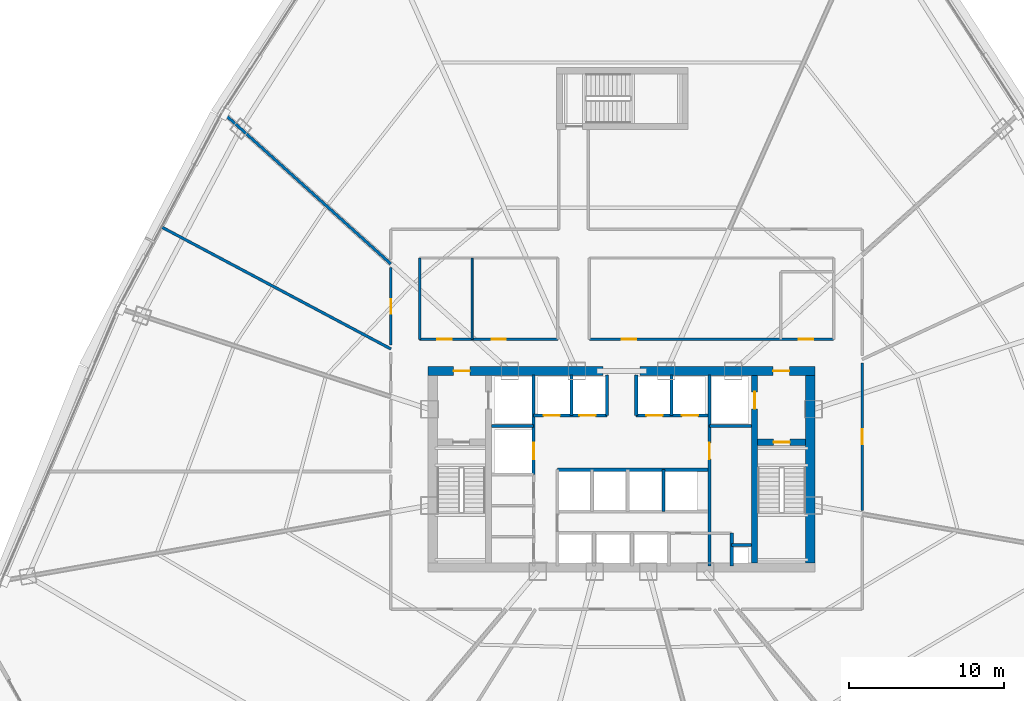
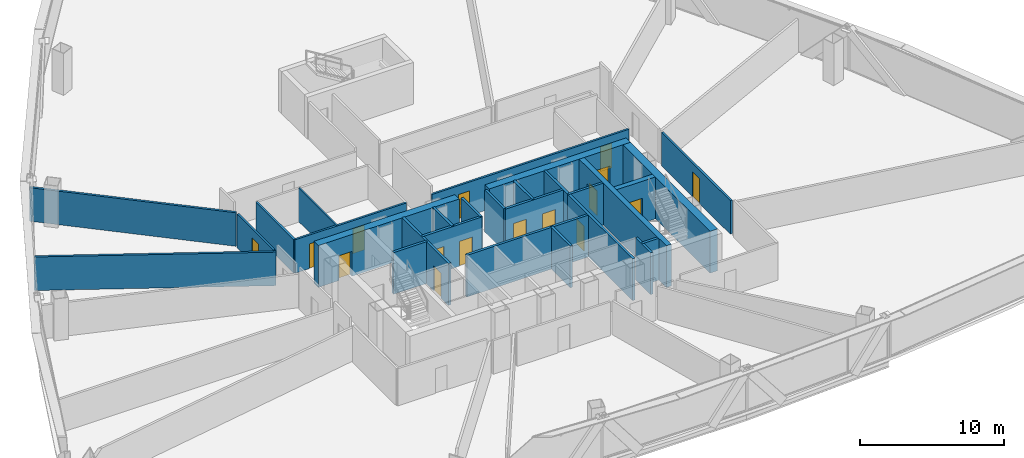
# One storey, part 30 of 36: 28 walls, 16 doors, 16 openings.
"""IFC4 building model written with IfcOpenShell, lengths in metres."""

from ifc_helpers import new_model, si_unit, direction, frame, frame_2d, origin, origin_with_axes, place, context, subcontext, project, spatial, rectangle, extrude, source, transform, mapped, material, layer, layer_set, type_object, element, fill, save


model = new_model("IFC4")

# Units and contexts
model_context = context("Model", 3, precision=1e-05, world=origin(), true_north=direction((0.0, 1.0)))
body_context = subcontext(model_context, "Body", "Model", "MODEL_VIEW")
ifc_project = project(units=[si_unit("LENGTHUNIT", "METRE"), si_unit("AREAUNIT", "SQUARE_METRE"), si_unit("VOLUMEUNIT", "CUBIC_METRE"), si_unit("PLANEANGLEUNIT", "RADIAN"), si_unit("MASSUNIT", "GRAM", prefix="KILO"), si_unit("THERMODYNAMICTEMPERATUREUNIT", "KELVIN"), si_unit("POWERUNIT", "WATT")], contexts=[model_context])

# Site, building, storey
site_placement = place(None, origin())
site = spatial("IfcSite", under=ifc_project, at=site_placement, CompositionType="ELEMENT")
building_placement = place(site_placement, origin())
building = spatial("IfcBuilding", under=site, at=building_placement, Name="Yunzhuo Pagoda Commons", CompositionType="ELEMENT")
storey_placement = place(building_placement, frame((0.0, 0.0, 107.780029296875)))
storey = spatial("IfcBuildingStorey", under=building, at=storey_placement, Name="L27", CompositionType="ELEMENT", Elevation=107.780029296875)

# Wall, opening, door
ifc_material_1 = material(Name="Concrete C60", Category="concrete")
ifc_layer_1 = layer(ifc_material_1, 0.60009765625)
ifc_layer_set_1 = layer_set([ifc_layer_1], Name="Concrete C60")
wall_type_1 = type_object("IfcWallType", Name="W-C02 Mid Core Shear Wall 600", PredefinedType="SHEAR", material=ifc_layer_set_1)
wall_1_placement = place(storey_placement, frame((35.5, 40.199951171875, 0.0), z_axis=(0.0, 0.0, 1.0), x_axis=(1.0, 0.0, 0.0)))
wall_1 = element("IfcWall", 1, at=wall_1_placement, inside=storey, type_object=wall_type_1, Name="L27 core shear wall NW", PredefinedType="SHEAR", context=body_context, shape_type="SweptSolid", body=[
    extrude(rectangle(XDim=11.300048828125, YDim=0.60009765625, at=frame_2d((5.64990234375, 0.0))), origin(), (0.0, 0.0, 1.0), 3.5400390625),
])
opening_1_placement = place(wall_1_placement, frame((1.64990234375, 0.0, 0.0)))
opening_1 = element("IfcOpeningElement", 2, at=opening_1_placement, cuts=wall_1, Name="Opening D-02", PredefinedType="OPENING", context=body_context, shape_type="SweptSolid", body=[
    extrude(rectangle(XDim=1.050048828125, YDim=2.10009765625, at=frame_2d((0.52490234375, 1.050048828125))), frame((0.0, 0.31005859375, 0.0), z_axis=(0.0, -1.0, 0.0), x_axis=(1.0, 0.0, 0.0)), (0.0, 0.0, 1.0), 0.6201171875),
])
ifc_material_2 = material(Name="Galvanized fire-resisting metal leaf")
door_type_1 = type_object("IfcDoorType", Name="D-02 Firefighting Lobby & Refuge Fire Door 1050x2100", OperationType="NOTDEFINED", PredefinedType="DOOR", material=ifc_material_2)
shared_shape_1 = source(origin(), body_context, "Body", "SweptSolid", [
    extrude(rectangle(XDim=1.050048828125, YDim=2.10009765625, at=frame_2d((0.52490234375, 1.050048828125))), frame((0.0, 0.02490234375, 0.0), z_axis=(0.0, -1.0, 0.0), x_axis=(1.0, 0.0, 0.0)), (0.0, 0.0, 1.0), 0.050048828125),
])
door_1_placement = place(opening_1_placement, frame((1.050048828125, 0.0, 0.0), z_axis=(0.0, 0.0, 1.0), x_axis=(-1.0, 0.0, 0.0)))
door_1 = element("IfcDoor", 3, at=door_1_placement, inside=storey, type_object=door_type_1, Name="L27 Firefighting Lobby 1 fire door", OperationType="SINGLE_SWING_LEFT", OverallHeight=2.10009765625, OverallWidth=1.050048828125, PredefinedType="DOOR", context=body_context, shape_type="MappedRepresentation", body=[
    mapped(shared_shape_1, transform((0.0, 0.0, 0.0), scale=1.0)),
])
fill(opening_1, door_1)

wall_2_placement = place(storey_placement, frame((49.199951171875, 40.199951171875, 0.0), z_axis=(0.0, 0.0, 1.0), x_axis=(1.0, 0.0, 0.0)))
wall_2 = element("IfcWall", 4, at=wall_2_placement, inside=storey, type_object=wall_type_1, Name="L27 core shear wall NE", PredefinedType="SHEAR", context=body_context, shape_type="SweptSolid", body=[
    extrude(rectangle(XDim=11.300048828125, YDim=0.60009765625, at=frame_2d((5.64990234375, 0.0))), origin(), (0.0, 0.0, 1.0), 3.5400390625),
])
opening_2_placement = place(wall_2_placement, frame((8.60009765625, 0.0, 0.0)))
opening_2 = element("IfcOpeningElement", 5, at=opening_2_placement, cuts=wall_2, Name="Opening D-02", PredefinedType="OPENING", context=body_context, shape_type="SweptSolid", body=[
    extrude(rectangle(XDim=1.050048828125, YDim=2.10009765625, at=frame_2d((0.52490234375, 1.050048828125))), frame((0.0, 0.31005859375, 0.0), z_axis=(0.0, -1.0, 0.0), x_axis=(1.0, 0.0, 0.0)), (0.0, 0.0, 1.0), 0.6201171875),
])
door_2_placement = place(opening_2_placement, frame((1.050048828125, 0.0, 0.0), z_axis=(0.0, 0.0, 1.0), x_axis=(-1.0, 0.0, 0.0)))
door_2 = element("IfcDoor", 6, at=door_2_placement, inside=storey, type_object=door_type_1, Name="L27 Firefighting Lobby 2 fire door", OperationType="SINGLE_SWING_RIGHT", OverallHeight=2.10009765625, OverallWidth=1.050048828125, PredefinedType="DOOR", context=body_context, shape_type="MappedRepresentation", body=[
    mapped(shared_shape_1, transform((0.0, 0.0, 0.0), scale=1.0)),
])
fill(opening_2, door_2)

# Wall
wall_3_placement = place(storey_placement, frame((60.199951171875, 27.800048828125, 0.0), z_axis=(0.0, 0.0, 1.0), x_axis=(0.0, 1.0, 0.0)))
element("IfcWall", 7, at=wall_3_placement, inside=storey, type_object=wall_type_1, Name="L27 core shear wall E", PredefinedType="SHEAR", context=body_context, shape_type="SweptSolid", body=[
    extrude(rectangle(XDim=12.099853515625, YDim=0.60009765625, at=frame_2d((6.0498046875, 0.0))), origin(), (0.0, 0.0, 1.0), 3.5400390625),
])

# Wall, openings, doors
ifc_material_3 = material(Name="Gypsum plasterboard on acoustic stud")
ifc_layer_2 = layer(ifc_material_3, 0.159912109375)
ifc_layer_set_2 = layer_set([ifc_layer_2], Name="Gypsum plasterboard on acoustic stud")
wall_type_2 = type_object("IfcWallType", Name="W-COR1 Tower Rated Corridor Wall 160", PredefinedType="PARTITIONING", material=ifc_layer_set_2)
wall_4_placement = place(storey_placement, frame((34.949951171875, 42.25, 0.0), z_axis=(0.0, 0.0, 1.0), x_axis=(1.0, 0.0, 0.0)))
wall_4 = element("IfcWall", 8, at=wall_4_placement, inside=storey, type_object=wall_type_2, Name="L27 interior wall IW-L27-ISLWS", PredefinedType="PARTITIONING", context=body_context, shape_type="SweptSolid", body=[
    extrude(rectangle(XDim=8.929931640625, YDim=0.159912109375, at=frame_2d((4.46484375, 0.0))), origin(), (0.0, 0.0, 1.0), 2.840087890625),
])
opening_3_placement = place(wall_4_placement, frame((1.14990234375, 0.0, 0.0)))
opening_3 = element("IfcOpeningElement", 9, at=opening_3_placement, cuts=wall_4, Name="Opening D-04", PredefinedType="OPENING", context=body_context, shape_type="SweptSolid", body=[
    extrude(rectangle(XDim=0.919921875, YDim=2.10009765625, at=frame_2d((0.4599609375, 1.050048828125))), frame((0.0, 0.08984375, 0.0), z_axis=(0.0, -1.0, 0.0), x_axis=(1.0, 0.0, 0.0)), (0.0, 0.0, 1.0), 0.179931640625),
])
opening_4_placement = place(wall_4_placement, frame((4.64990234375, 0.0, 0.0)))
opening_4 = element("IfcOpeningElement", 10, at=opening_4_placement, cuts=wall_4, Name="Opening D-04", PredefinedType="OPENING", context=body_context, shape_type="SweptSolid", body=[
    extrude(rectangle(XDim=0.919921875, YDim=2.10009765625, at=frame_2d((0.4599609375, 1.050048828125))), frame((0.0, 0.08984375, 0.0), z_axis=(0.0, -1.0, 0.0), x_axis=(1.0, 0.0, 0.0)), (0.0, 0.0, 1.0), 0.179931640625),
])
ifc_material_4 = material(Name="Powder-coated aluminium and timber acoustic leaf", Category="wood")
door_type_2 = type_object("IfcDoorType", Name="D-04 Bedroom & Study Interior Door 920x2100", OperationType="NOTDEFINED", PredefinedType="DOOR", material=ifc_material_4)
shared_shape_2 = source(origin(), body_context, "Body", "SweptSolid", [
    extrude(rectangle(XDim=0.919921875, YDim=2.10009765625, at=frame_2d((0.4599609375, 1.050048828125))), frame((0.0, 0.02490234375, 0.0), z_axis=(0.0, -1.0, 0.0), x_axis=(1.0, 0.0, 0.0)), (0.0, 0.0, 1.0), 0.050048828125),
])
door_3_placement = place(opening_3_placement, frame((0.919921875, 0.0, 0.0), z_axis=(0.0, 0.0, 1.0), x_axis=(-1.0, 0.0, 0.0)))
door_3 = element("IfcDoor", 11, at=door_3_placement, inside=storey, type_object=door_type_2, Name="L27 laundry door", OperationType="SINGLE_SWING_LEFT", OverallHeight=2.10009765625, OverallWidth=0.919921875, PredefinedType="DOOR", context=body_context, shape_type="MappedRepresentation", body=[
    mapped(shared_shape_2, transform((0.0, 0.0, 0.0), scale=1.0)),
])
fill(opening_3, door_3)
door_4_placement = place(opening_4_placement, frame((0.919921875, 0.0, 0.0), z_axis=(0.0, 0.0, 1.0), x_axis=(-1.0, 0.0, 0.0)))
door_4 = element("IfcDoor", 12, at=door_4_placement, inside=storey, type_object=door_type_2, Name="L27 study commons W door", OperationType="SINGLE_SWING_RIGHT", OverallHeight=2.10009765625, OverallWidth=0.919921875, PredefinedType="DOOR", context=body_context, shape_type="MappedRepresentation", body=[
    mapped(shared_shape_2, transform((0.0, 0.0, 0.0), scale=1.0)),
])
fill(opening_4, door_4)

# Wall
wall_5_placement = place(storey_placement, frame((34.949951171875, 42.25, 0.0), z_axis=(0.0, 0.0, 1.0), x_axis=(0.0, 1.0, 0.0)))
element("IfcWall", 13, at=wall_5_placement, inside=storey, type_object=wall_type_2, Name="L27 interior wall IW-L27-ISLWW", PredefinedType="PARTITIONING", context=body_context, shape_type="SweptSolid", body=[
    extrude(rectangle(XDim=5.25, YDim=0.159912109375, at=frame_2d((2.625, 0.0))), origin(), (0.0, 0.0, 1.0), 2.840087890625),
])

# Wall, openings, doors
wall_6_placement = place(storey_placement, frame((45.919921875, 42.25, 0.0), z_axis=(0.0, 0.0, 1.0), x_axis=(1.0, 0.0, 0.0)))
wall_6 = element("IfcWall", 14, at=wall_6_placement, inside=storey, type_object=wall_type_2, Name="L27 interior wall IW-L27-ISLES", PredefinedType="PARTITIONING", context=body_context, shape_type="SweptSolid", body=[
    extrude(rectangle(XDim=15.780029296875, YDim=0.159912109375, at=frame_2d((7.89013671875, 0.0))), origin(), (0.0, 0.0, 1.0), 2.840087890625),
])
opening_5_placement = place(wall_6_placement, frame((2.10009765625, 0.0, 0.0)))
opening_5 = element("IfcOpeningElement", 15, at=opening_5_placement, cuts=wall_6, Name="Opening D-04", PredefinedType="OPENING", context=body_context, shape_type="SweptSolid", body=[
    extrude(rectangle(XDim=0.919921875, YDim=2.10009765625, at=frame_2d((0.4599609375, 1.050048828125))), frame((0.0, 0.08984375, 0.0), z_axis=(0.0, -1.0, 0.0), x_axis=(1.0, 0.0, 0.0)), (0.0, 0.0, 1.0), 0.179931640625),
])
opening_6_placement = place(wall_6_placement, frame((13.530029296875, 0.0, 0.0)))
opening_6 = element("IfcOpeningElement", 16, at=opening_6_placement, cuts=wall_6, Name="Opening D-11", PredefinedType="OPENING", context=body_context, shape_type="SweptSolid", body=[
    extrude(rectangle(XDim=0.93994140625, YDim=2.10009765625, at=frame_2d((0.469970703125, 1.050048828125))), frame((0.0, 0.08984375, 0.0), z_axis=(0.0, -1.0, 0.0), x_axis=(1.0, 0.0, 0.0)), (0.0, 0.0, 1.0), 0.179931640625),
])
door_type_3 = type_object("IfcDoorType", Name="D-11 Accessible Washroom Fire Door 940x2100", OperationType="NOTDEFINED", PredefinedType="DOOR", material=ifc_material_2)
shared_shape_3 = source(origin(), body_context, "Body", "SweptSolid", [
    extrude(rectangle(XDim=0.93994140625, YDim=2.10009765625, at=frame_2d((0.469970703125, 1.050048828125))), frame((0.0, 0.02490234375, 0.0), z_axis=(0.0, -1.0, 0.0), x_axis=(1.0, 0.0, 0.0)), (0.0, 0.0, 1.0), 0.050048828125),
])
door_5_placement = place(opening_6_placement, frame((0.93994140625, 0.0, 0.0), z_axis=(0.0, 0.0, 1.0), x_axis=(-1.0, 0.0, 0.0)))
door_5 = element("IfcDoor", 17, at=door_5_placement, inside=storey, type_object=door_type_3, Name="L27 accessible WC door", OperationType="SINGLE_SWING_RIGHT", OverallHeight=2.10009765625, OverallWidth=0.93994140625, PredefinedType="DOOR", context=body_context, shape_type="MappedRepresentation", body=[
    mapped(shared_shape_3, transform((0.0, 0.0, 0.0), scale=1.0)),
])
fill(opening_6, door_5)
door_6_placement = place(opening_5_placement, frame((0.919921875, 0.0, 0.0), z_axis=(0.0, 0.0, 1.0), x_axis=(-1.0, 0.0, 0.0)))
door_6 = element("IfcDoor", 18, at=door_6_placement, inside=storey, type_object=door_type_2, Name="L27 reading commons door", OperationType="SINGLE_SWING_LEFT", OverallHeight=2.10009765625, OverallWidth=0.919921875, PredefinedType="DOOR", context=body_context, shape_type="MappedRepresentation", body=[
    mapped(shared_shape_2, transform((0.0, 0.0, 0.0), scale=1.0)),
])
fill(opening_5, door_6)

# Wall, opening, door
wall_7_placement = place(storey_placement, frame((33.10009765625, 41.87158203125, 0.0), z_axis=(0.0, 0.0, 1.0), x_axis=(0.0, 1.0, 0.0)))
wall_7 = element("IfcWall", 19, at=wall_7_placement, inside=storey, type_object=wall_type_2, Name="L27 interior wall IW-L27-CWL05", PredefinedType="PARTITIONING", context=body_context, shape_type="SweptSolid", body=[
    extrude(rectangle(XDim=5.024658203125, YDim=0.159912109375, at=frame_2d((2.51220703125, 0.0))), origin(), (0.0, 0.0, 1.0), 2.840087890625),
])
opening_7_placement = place(wall_7_placement, frame((2.022705078125, 0.0, 0.0)))
opening_7 = element("IfcOpeningElement", 20, at=opening_7_placement, cuts=wall_7, Name="Opening D-06", PredefinedType="OPENING", context=body_context, shape_type="SweptSolid", body=[
    extrude(rectangle(XDim=0.949951171875, YDim=2.10009765625, at=frame_2d((0.47509765625, 1.050048828125))), frame((0.0, 0.08984375, 0.0), z_axis=(0.0, -1.0, 0.0), x_axis=(1.0, 0.0, 0.0)), (0.0, 0.0, 1.0), 0.179931640625),
])
door_type_4 = type_object("IfcDoorType", Name="D-06 Co-Living Suite Entrance Fire Door 950x2100", OperationType="NOTDEFINED", PredefinedType="DOOR", material=ifc_material_2)
shared_shape_4 = source(origin(), body_context, "Body", "SweptSolid", [
    extrude(rectangle(XDim=0.949951171875, YDim=2.10009765625, at=frame_2d((0.47509765625, 1.050048828125))), frame((0.0, 0.02490234375, 0.0), z_axis=(0.0, -1.0, 0.0), x_axis=(1.0, 0.0, 0.0)), (0.0, 0.0, 1.0), 0.050048828125),
])
door_7_placement = place(opening_7_placement, origin_with_axes())
door_7 = element("IfcDoor", 21, at=door_7_placement, inside=storey, type_object=door_type_4, Name="L27 unit 05 entrance door", OperationType="SINGLE_SWING_LEFT", OverallHeight=2.10009765625, OverallWidth=0.949951171875, PredefinedType="DOOR", context=body_context, shape_type="MappedRepresentation", body=[
    mapped(shared_shape_4, transform((0.0, 0.0, 0.0), scale=1.0)),
])
fill(opening_7, door_7)

wall_8_placement = place(storey_placement, frame((63.550048828125, 40.7314453125, 0.0), z_axis=(0.0, 0.0, 1.0), x_axis=(0.0, -1.0, 0.0)))
wall_8 = element("IfcWall", 22, at=wall_8_placement, inside=storey, type_object=wall_type_2, Name="L27 interior wall IW-L27-CWL14", PredefinedType="PARTITIONING", context=body_context, shape_type="SweptSolid", body=[
    extrude(rectangle(XDim=9.553466796875, YDim=0.159912109375, at=frame_2d((4.77685546875, 0.0))), origin(), (0.0, 0.0, 1.0), 2.840087890625),
])
opening_8_placement = place(wall_8_placement, frame((4.3017578125, 0.0, 0.0)))
opening_8 = element("IfcOpeningElement", 23, at=opening_8_placement, cuts=wall_8, Name="Opening D-06", PredefinedType="OPENING", context=body_context, shape_type="SweptSolid", body=[
    extrude(rectangle(XDim=0.949951171875, YDim=2.10009765625, at=frame_2d((0.47509765625, 1.050048828125))), frame((0.0, 0.08984375, 0.0), z_axis=(0.0, -1.0, 0.0), x_axis=(1.0, 0.0, 0.0)), (0.0, 0.0, 1.0), 0.179931640625),
])
door_8_placement = place(opening_8_placement, origin_with_axes())
door_8 = element("IfcDoor", 24, at=door_8_placement, inside=storey, type_object=door_type_4, Name="L27 Shared Resident Kitchen and Pantry door", OperationType="SINGLE_SWING_LEFT", OverallHeight=2.10009765625, OverallWidth=0.949951171875, PredefinedType="DOOR", context=body_context, shape_type="MappedRepresentation", body=[
    mapped(shared_shape_4, transform((0.0, 0.0, 0.0), scale=1.0)),
])
fill(opening_8, door_8)

# Walls
ifc_layer_3 = layer(ifc_material_3, 0.1201171875)
ifc_layer_set_3 = layer_set([ifc_layer_3], Name="Gypsum plasterboard on acoustic stud")
wall_type_3 = type_object("IfcWallType", Name="W-PRT1 Suite & Bathroom Partition 120", PredefinedType="PARTITIONING", material=ifc_layer_set_3)
wall_9_placement = place(storey_placement, frame((38.35009765625, 42.25, 0.0), z_axis=(0.0, 0.0, 1.0), x_axis=(0.0, 1.0, 0.0)))
element("IfcWall", 25, at=wall_9_placement, inside=storey, type_object=wall_type_3, Name="L27 interior wall IW-L27-ISLW1", PredefinedType="PARTITIONING", context=body_context, shape_type="SweptSolid", body=[
    extrude(rectangle(XDim=5.25, YDim=0.1201171875, at=frame_2d((2.625, 0.0))), origin(), (0.0, 0.0, 1.0), 2.840087890625),
])
ifc_layer_4 = layer(ifc_material_3, 0.179931640625)
ifc_layer_set_4 = layer_set([ifc_layer_4], Name="Gypsum plasterboard on acoustic stud")
wall_type_4 = type_object("IfcWallType", Name="W-PRT2 Acoustic Unit Demising Wall 180", PredefinedType="PARTITIONING", material=ifc_layer_set_4)
wall_10_placement = place(storey_placement, frame((33.10009765625, 47.115966796875, 0.0), z_axis=(0.0, 0.0, 1.0), x_axis=(-0.7431435128, 0.669132064232, 0.0)))
element("IfcWall", 26, at=wall_10_placement, inside=storey, type_object=wall_type_4, Name="L27 interior wall IW-L27-RAD04", PredefinedType="PARTITIONING", context=body_context, shape_type="SweptSolid", body=[
    extrude(rectangle(XDim=14.669189453125, YDim=0.179931640625, at=frame_2d((7.33447265625, 0.0))), origin(), (0.0, 0.0, 1.0), 2.840087890625),
])
wall_11_placement = place(storey_placement, frame((33.10009765625, 41.62255859375, 0.0), z_axis=(0.0, 0.0, 1.0), x_axis=(-0.88295130371, 0.469464583624, 0.0)))
element("IfcWall", 27, at=wall_11_placement, inside=storey, type_object=wall_type_4, Name="L27 interior wall IW-L27-RAD05", PredefinedType="PARTITIONING", context=body_context, shape_type="SweptSolid", body=[
    extrude(rectangle(XDim=16.808837890625, YDim=0.179931640625, at=frame_2d((8.404296875, 0.0))), origin(), (0.0, 0.0, 1.0), 2.840087890625),
])

# Wall, opening, door
ifc_layer_5 = layer(ifc_material_1, 0.39990234375)
ifc_layer_set_5 = layer_set([ifc_layer_5], Name="Concrete C60")
wall_type_5 = type_object("IfcWallType", Name="W-S01 Internal Core Shear Web 400", PredefinedType="SHEAR", material=ifc_layer_set_5)
wall_12_placement = place(storey_placement, frame((56.60009765625, 27.800048828125, 0.0), z_axis=(0.0, 0.0, 1.0), x_axis=(0.0, 1.0, 0.0)))
wall_12 = element("IfcWall", 28, at=wall_12_placement, inside=storey, type_object=wall_type_5, Name="L27 core shear wall WEBE", PredefinedType="SHEAR", context=body_context, shape_type="SweptSolid", body=[
    extrude(rectangle(XDim=12.099853515625, YDim=0.39990234375, at=frame_2d((6.0498046875, 0.0))), origin(), (0.0, 0.0, 1.0), 3.5400390625),
])
opening_9_placement = place(wall_12_placement, frame((9.949951171875, 0.0, 0.0)))
opening_9 = element("IfcOpeningElement", 29, at=opening_9_placement, cuts=wall_12, Name="Opening LD-01", PredefinedType="OPENING", context=body_context, shape_type="SweptSolid", body=[
    extrude(rectangle(XDim=1.10009765625, YDim=2.10009765625, at=frame_2d((0.550048828125, 1.050048828125))), frame((0.0, 0.2099609375, 0.0), z_axis=(0.0, -1.0, 0.0), x_axis=(1.0, 0.0, 0.0)), (0.0, 0.0, 1.0), 0.419921875),
])
door_type_5 = type_object("IfcDoorType", Name="LD-01 Firefighting Lift Landing Door 1100x2100", OperationType="DOUBLE_DOOR_SLIDING", PredefinedType="DOOR", material=ifc_material_2)
shared_shape_5 = source(origin(), body_context, "Body", "SweptSolid", [
    extrude(rectangle(XDim=1.10009765625, YDim=2.10009765625, at=frame_2d((0.550048828125, 1.050048828125))), frame((0.0, 0.02490234375, 0.0), z_axis=(0.0, -1.0, 0.0), x_axis=(1.0, 0.0, 0.0)), (0.0, 0.0, 1.0), 0.050048828125),
])
door_9_placement = place(opening_9_placement, origin_with_axes())
door_9 = element("IfcDoor", 30, at=door_9_placement, inside=storey, type_object=door_type_5, Name="L27 Firefighting lift FL-2 landing door", OperationType="DOUBLE_DOOR_SLIDING", OverallHeight=2.10009765625, OverallWidth=1.10009765625, PredefinedType="DOOR", context=body_context, shape_type="MappedRepresentation", body=[
    mapped(shared_shape_5, transform((0.0, 0.0, 0.0), scale=1.0)),
])
fill(opening_9, door_9)

wall_13_placement = place(storey_placement, frame((56.800048828125, 35.60009765625, 0.0), z_axis=(0.0, 0.0, 1.0), x_axis=(1.0, 0.0, 0.0)))
wall_13 = element("IfcWall", 31, at=wall_13_placement, inside=storey, type_object=wall_type_5, Name="L27 core shear wall STE", PredefinedType="SHEAR", context=body_context, shape_type="SweptSolid", body=[
    extrude(rectangle(XDim=3.099853515625, YDim=0.39990234375, at=frame_2d((1.5498046875, 0.0))), origin(), (0.0, 0.0, 1.0), 3.5400390625),
])
opening_10_placement = place(wall_13_placement, frame((1.02001953125, 0.0, 0.0)))
opening_10 = element("IfcOpeningElement", 32, at=opening_10_placement, cuts=wall_13, Name="Opening D-01", PredefinedType="OPENING", context=body_context, shape_type="SweptSolid", body=[
    extrude(rectangle(XDim=1.050048828125, YDim=2.10009765625, at=frame_2d((0.52490234375, 1.050048828125))), frame((0.0, 0.2099609375, 0.0), z_axis=(0.0, -1.0, 0.0), x_axis=(1.0, 0.0, 0.0)), (0.0, 0.0, 1.0), 0.419921875),
])
door_type_6 = type_object("IfcDoorType", Name="D-01 Smokeproof Stair Fire Door 1050x2100", OperationType="NOTDEFINED", PredefinedType="DOOR", material=ifc_material_2)
door_10_placement = place(opening_10_placement, frame((1.050048828125, 0.0, 0.0), z_axis=(0.0, 0.0, 1.0), x_axis=(-1.0, 0.0, 0.0)))
door_10 = element("IfcDoor", 33, at=door_10_placement, inside=storey, type_object=door_type_6, Name="L27 Stair ST2 fire door", OperationType="SINGLE_SWING_RIGHT", OverallHeight=2.10009765625, OverallWidth=1.050048828125, PredefinedType="DOOR", context=body_context, shape_type="MappedRepresentation", body=[
    mapped(shared_shape_1, transform((0.0, 0.0, 0.0), scale=1.0)),
])
fill(opening_10, door_10)

ifc_material_5 = material(Name="Concrete C40", Category="concrete")
ifc_layer_6 = layer(ifc_material_5, 0.199951171875)
ifc_layer_set_6 = layer_set([ifc_layer_6], Name="Concrete C40")
wall_type_6 = type_object("IfcWallType", Name="W-SHF Shaft & Stair Enclosure Wall 200", PredefinedType="SOLIDWALL", material=ifc_layer_set_6)
wall_14_placement = place(storey_placement, frame((42.320068359375, 33.5, 0.0), z_axis=(0.0, 0.0, 1.0), x_axis=(0.0, 1.0, 0.0)))
wall_14 = element("IfcWall", 34, at=wall_14_placement, inside=storey, type_object=wall_type_6, Name="L27 interior wall IW-L27-FL1E", PredefinedType="SOLIDWALL", context=body_context, shape_type="SweptSolid", body=[
    extrude(rectangle(XDim=6.449951171875, YDim=0.199951171875, at=frame_2d((3.22509765625, 0.0))), origin(), (0.0, 0.0, 1.0), 3.5400390625),
])
opening_11_placement = place(wall_14_placement, frame((1.0, 0.0, 0.0)))
opening_11 = element("IfcOpeningElement", 35, at=opening_11_placement, cuts=wall_14, Name="Opening LD-02", PredefinedType="OPENING", context=body_context, shape_type="SweptSolid", body=[
    extrude(rectangle(XDim=1.050048828125, YDim=2.10009765625, at=frame_2d((0.52490234375, 1.050048828125))), frame((0.0, 0.10986328125, 0.0), z_axis=(0.0, -1.0, 0.0), x_axis=(1.0, 0.0, 0.0)), (0.0, 0.0, 1.0), 0.219970703125),
])
door_type_7 = type_object("IfcDoorType", Name="LD-02 Passenger Lift Landing Door 1050x2100", OperationType="DOUBLE_DOOR_SLIDING", PredefinedType="DOOR", material=ifc_material_2)
door_11_placement = place(opening_11_placement, origin_with_axes())
door_11 = element("IfcDoor", 36, at=door_11_placement, inside=storey, type_object=door_type_7, Name="L27 Service lift SL-1 landing door", OperationType="DOUBLE_DOOR_SLIDING", OverallHeight=2.10009765625, OverallWidth=1.050048828125, PredefinedType="DOOR", context=body_context, shape_type="MappedRepresentation", body=[
    mapped(shared_shape_1, transform((0.0, 0.0, 0.0), scale=1.0)),
])
fill(opening_11, door_11)

# Walls
wall_15_placement = place(storey_placement, frame((39.60009765625, 36.64990234375, 0.0), z_axis=(0.0, 0.0, 1.0), x_axis=(1.0, 0.0, 0.0)))
element("IfcWall", 37, at=wall_15_placement, inside=storey, type_object=wall_type_6, Name="L27 interior wall IW-L27-FL1S", PredefinedType="SOLIDWALL", context=body_context, shape_type="SweptSolid", body=[
    extrude(rectangle(XDim=2.719970703125, YDim=0.199951171875, at=frame_2d((1.35986328125, 0.0))), origin(), (0.0, 0.0, 1.0), 3.5400390625),
])
wall_16_placement = place(storey_placement, frame((53.679931640625, 36.64990234375, 0.0), z_axis=(0.0, 0.0, 1.0), x_axis=(0.0, 1.0, 0.0)))
element("IfcWall", 38, at=wall_16_placement, inside=storey, type_object=wall_type_6, Name="L27 interior wall IW-L27-FL2W", PredefinedType="SOLIDWALL", context=body_context, shape_type="SweptSolid", body=[
    extrude(rectangle(XDim=3.300048828125, YDim=0.199951171875, at=frame_2d((1.64990234375, 0.0))), origin(), (0.0, 0.0, 1.0), 3.5400390625),
])
wall_17_placement = place(storey_placement, frame((53.679931640625, 36.64990234375, 0.0), z_axis=(0.0, 0.0, 1.0), x_axis=(1.0, 0.0, 0.0)))
element("IfcWall", 39, at=wall_17_placement, inside=storey, type_object=wall_type_6, Name="L27 interior wall IW-L27-FL2S", PredefinedType="SOLIDWALL", context=body_context, shape_type="SweptSolid", body=[
    extrude(rectangle(XDim=2.719970703125, YDim=0.199951171875, at=frame_2d((1.35986328125, 0.0))), origin(), (0.0, 0.0, 1.0), 3.5400390625),
])

# Wall, openings, doors
wall_18_placement = place(storey_placement, frame((42.320068359375, 37.320068359375, 0.0), z_axis=(0.0, 0.0, 1.0), x_axis=(1.0, 0.0, 0.0)))
wall_18 = element("IfcWall", 40, at=wall_18_placement, inside=storey, type_object=wall_type_6, Name="L27 interior wall IW-L27-LBNW", PredefinedType="SOLIDWALL", context=body_context, shape_type="SweptSolid", body=[
    extrude(rectangle(XDim=4.72998046875, YDim=0.199951171875, at=frame_2d((2.364990234375, 0.0))), origin(), (0.0, 0.0, 1.0), 3.5400390625),
])
opening_12_placement = place(wall_18_placement, frame((0.64990234375, 0.0, 0.0)))
opening_12 = element("IfcOpeningElement", 41, at=opening_12_placement, cuts=wall_18, Name="Opening LD-02", PredefinedType="OPENING", context=body_context, shape_type="SweptSolid", body=[
    extrude(rectangle(XDim=1.050048828125, YDim=2.10009765625, at=frame_2d((0.52490234375, 1.050048828125))), frame((0.0, 0.10986328125, 0.0), z_axis=(0.0, -1.0, 0.0), x_axis=(1.0, 0.0, 0.0)), (0.0, 0.0, 1.0), 0.219970703125),
])
opening_13_placement = place(wall_18_placement, frame((2.949951171875, 0.0, 0.0)))
opening_13 = element("IfcOpeningElement", 42, at=opening_13_placement, cuts=wall_18, Name="Opening LD-02", PredefinedType="OPENING", context=body_context, shape_type="SweptSolid", body=[
    extrude(rectangle(XDim=1.050048828125, YDim=2.10009765625, at=frame_2d((0.52490234375, 1.050048828125))), frame((0.0, 0.10986328125, 0.0), z_axis=(0.0, -1.0, 0.0), x_axis=(1.0, 0.0, 0.0)), (0.0, 0.0, 1.0), 0.219970703125),
])
door_12_placement = place(opening_12_placement, frame((1.050048828125, 0.0, 0.0), z_axis=(0.0, 0.0, 1.0), x_axis=(-1.0, 0.0, 0.0)))
door_12 = element("IfcDoor", 43, at=door_12_placement, inside=storey, type_object=door_type_7, Name="L27 Passenger lift PL-L1 landing door", OperationType="DOUBLE_DOOR_SLIDING", OverallHeight=2.10009765625, OverallWidth=1.050048828125, PredefinedType="DOOR", context=body_context, shape_type="MappedRepresentation", body=[
    mapped(shared_shape_1, transform((0.0, 0.0, 0.0), scale=1.0)),
])
fill(opening_12, door_12)
door_13_placement = place(opening_13_placement, frame((1.050048828125, 0.0, 0.0), z_axis=(0.0, 0.0, 1.0), x_axis=(-1.0, 0.0, 0.0)))
door_13 = element("IfcDoor", 44, at=door_13_placement, inside=storey, type_object=door_type_7, Name="L27 Passenger lift PL-L2 landing door", OperationType="DOUBLE_DOOR_SLIDING", OverallHeight=2.10009765625, OverallWidth=1.050048828125, PredefinedType="DOOR", context=body_context, shape_type="MappedRepresentation", body=[
    mapped(shared_shape_1, transform((0.0, 0.0, 0.0), scale=1.0)),
])
fill(opening_13, door_13)

wall_19_placement = place(storey_placement, frame((48.949951171875, 37.320068359375, 0.0), z_axis=(0.0, 0.0, 1.0), x_axis=(1.0, 0.0, 0.0)))
wall_19 = element("IfcWall", 45, at=wall_19_placement, inside=storey, type_object=wall_type_6, Name="L27 interior wall IW-L27-LBNE", PredefinedType="SOLIDWALL", context=body_context, shape_type="SweptSolid", body=[
    extrude(rectangle(XDim=4.72998046875, YDim=0.199951171875, at=frame_2d((2.364990234375, 0.0))), origin(), (0.0, 0.0, 1.0), 3.5400390625),
])
opening_14_placement = place(wall_19_placement, frame((0.64990234375, 0.0, 0.0)))
opening_14 = element("IfcOpeningElement", 46, at=opening_14_placement, cuts=wall_19, Name="Opening LD-02", PredefinedType="OPENING", context=body_context, shape_type="SweptSolid", body=[
    extrude(rectangle(XDim=1.050048828125, YDim=2.10009765625, at=frame_2d((0.52490234375, 1.050048828125))), frame((0.0, 0.10986328125, 0.0), z_axis=(0.0, -1.0, 0.0), x_axis=(1.0, 0.0, 0.0)), (0.0, 0.0, 1.0), 0.219970703125),
])
opening_15_placement = place(wall_19_placement, frame((2.949951171875, 0.0, 0.0)))
opening_15 = element("IfcOpeningElement", 47, at=opening_15_placement, cuts=wall_19, Name="Opening LD-02", PredefinedType="OPENING", context=body_context, shape_type="SweptSolid", body=[
    extrude(rectangle(XDim=1.050048828125, YDim=2.10009765625, at=frame_2d((0.52490234375, 1.050048828125))), frame((0.0, 0.10986328125, 0.0), z_axis=(0.0, -1.0, 0.0), x_axis=(1.0, 0.0, 0.0)), (0.0, 0.0, 1.0), 0.219970703125),
])
door_14_placement = place(opening_14_placement, frame((1.050048828125, 0.0, 0.0), z_axis=(0.0, 0.0, 1.0), x_axis=(-1.0, 0.0, 0.0)))
door_14 = element("IfcDoor", 48, at=door_14_placement, inside=storey, type_object=door_type_7, Name="L27 Passenger lift PL-L3 landing door", OperationType="DOUBLE_DOOR_SLIDING", OverallHeight=2.10009765625, OverallWidth=1.050048828125, PredefinedType="DOOR", context=body_context, shape_type="MappedRepresentation", body=[
    mapped(shared_shape_1, transform((0.0, 0.0, 0.0), scale=1.0)),
])
fill(opening_14, door_14)
door_15_placement = place(opening_15_placement, frame((1.050048828125, 0.0, 0.0), z_axis=(0.0, 0.0, 1.0), x_axis=(-1.0, 0.0, 0.0)))
door_15 = element("IfcDoor", 49, at=door_15_placement, inside=storey, type_object=door_type_7, Name="L27 Passenger lift PL-L4 landing door", OperationType="DOUBLE_DOOR_SLIDING", OverallHeight=2.10009765625, OverallWidth=1.050048828125, PredefinedType="DOOR", context=body_context, shape_type="MappedRepresentation", body=[
    mapped(shared_shape_1, transform((0.0, 0.0, 0.0), scale=1.0)),
])
fill(opening_15, door_15)

# Walls
for number, where, z_axis, x_axis, name in (
    (50, (47.050048828125, 37.320068359375, 0.0), (0.0, 0.0, 1.0), (0.0, 1.0, 0.0), "L27 interior wall IW-L27-THRW"),
    (51, (48.949951171875, 37.320068359375, 0.0), (0.0, 0.0, 1.0), (0.0, 1.0, 0.0), "L27 interior wall IW-L27-THRE"),
    (52, (44.77001953125, 37.320068359375, 0.0), (0.0, 0.0, 1.0), (0.0, 1.0, 0.0), "L27 interior wall IW-L27-PLL12"),
    (53, (51.22998046875, 37.320068359375, 0.0), (0.0, 0.0, 1.0), (0.0, 1.0, 0.0), "L27 interior wall IW-L27-PLL34"),
):
    element("IfcWall", number, at=place(storey_placement, frame(where, z_axis=z_axis, x_axis=x_axis)), inside=storey, type_object=wall_type_6, Name=name, PredefinedType="SOLIDWALL", context=body_context, shape_type="SweptSolid", body=[
        extrude(rectangle(XDim=2.6298828125, YDim=0.199951171875, at=frame_2d((1.31494140625, 0.0))), origin(), (0.0, 0.0, 1.0), 3.5400390625),
    ])
wall_20_placement = place(storey_placement, frame((43.85009765625, 33.820068359375, 0.0), z_axis=(0.0, 0.0, 1.0), x_axis=(1.0, 0.0, 0.0)))
element("IfcWall", 54, at=wall_20_placement, inside=storey, type_object=wall_type_6, Name="L27 interior wall IW-L27-MLBS", PredefinedType="SOLIDWALL", context=body_context, shape_type="SweptSolid", body=[
    extrude(rectangle(XDim=9.829833984375, YDim=0.199951171875, at=frame_2d((4.9150390625, 0.0))), origin(), (0.0, 0.0, 1.0), 3.5400390625),
])

# Wall, opening, door
wall_21_placement = place(storey_placement, frame((53.679931640625, 27.60009765625, 0.0), z_axis=(0.0, 0.0, 1.0), x_axis=(0.0, 1.0, 0.0)))
wall_21 = element("IfcWall", 55, at=wall_21_placement, inside=storey, type_object=wall_type_6, Name="L27 interior wall IW-L27-PLME", PredefinedType="SOLIDWALL", context=body_context, shape_type="SweptSolid", body=[
    extrude(rectangle(XDim=9.0498046875, YDim=0.199951171875, at=frame_2d((4.52490234375, 0.0))), origin(), (0.0, 0.0, 1.0), 3.5400390625),
])
opening_16_placement = place(wall_21_placement, frame((6.89990234375, 0.0, 0.0)))
opening_16 = element("IfcOpeningElement", 56, at=opening_16_placement, cuts=wall_21, Name="Opening D-02", PredefinedType="OPENING", context=body_context, shape_type="SweptSolid", body=[
    extrude(rectangle(XDim=1.050048828125, YDim=2.10009765625, at=frame_2d((0.52490234375, 1.050048828125))), frame((0.0, 0.10986328125, 0.0), z_axis=(0.0, -1.0, 0.0), x_axis=(1.0, 0.0, 0.0)), (0.0, 0.0, 1.0), 0.219970703125),
])
door_16_placement = place(opening_16_placement, origin_with_axes())
door_16 = element("IfcDoor", 57, at=door_16_placement, inside=storey, type_object=door_type_1, Name="L27 High-bank lift hall door", OperationType="SINGLE_SWING_RIGHT", OverallHeight=2.10009765625, OverallWidth=1.050048828125, PredefinedType="DOOR", context=body_context, shape_type="MappedRepresentation", body=[
    mapped(shared_shape_1, transform((0.0, 0.0, 0.0), scale=1.0)),
])
fill(opening_16, door_16)

# Walls
wall_22_placement = place(storey_placement, frame((50.699951171875, 31.1201171875, 0.0), z_axis=(0.0, 0.0, 1.0), x_axis=(0.0, 1.0, 0.0)))
element("IfcWall", 58, at=wall_22_placement, inside=storey, type_object=wall_type_6, Name="L27 interior wall IW-L27-PLMD3", PredefinedType="SOLIDWALL", context=body_context, shape_type="SweptSolid", body=[
    extrude(rectangle(XDim=2.699951171875, YDim=0.199951171875, at=frame_2d((1.35009765625, 0.0))), origin(), (0.0, 0.0, 1.0), 3.5400390625),
])
wall_23_placement = place(storey_placement, frame((55.1201171875, 27.60009765625, 0.0), z_axis=(0.0, 0.0, 1.0), x_axis=(0.0, 1.0, 0.0)))
element("IfcWall", 59, at=wall_23_placement, inside=storey, type_object=wall_type_6, Name="L27 interior wall IW-L27-RSHFW", PredefinedType="SOLIDWALL", context=body_context, shape_type="SweptSolid", body=[
    extrude(rectangle(XDim=2.119873046875, YDim=0.199951171875, at=frame_2d((1.06005859375, 0.0))), origin(), (0.0, 0.0, 1.0), 3.5400390625),
])
wall_24_placement = place(storey_placement, frame((55.1201171875, 28.949951171875, 0.0), z_axis=(0.0, 0.0, 1.0), x_axis=(1.0, 0.0, 0.0)))
element("IfcWall", 60, at=wall_24_placement, inside=storey, type_object=wall_type_6, Name="L27 interior wall IW-L27-RSHFN", PredefinedType="SOLIDWALL", context=body_context, shape_type="SweptSolid", body=[
    extrude(rectangle(XDim=1.27978515625, YDim=0.199951171875, at=frame_2d((0.639892578125, 0.0))), origin(), (0.0, 0.0, 1.0), 3.5400390625),
])

save(model, "model.ifc")
